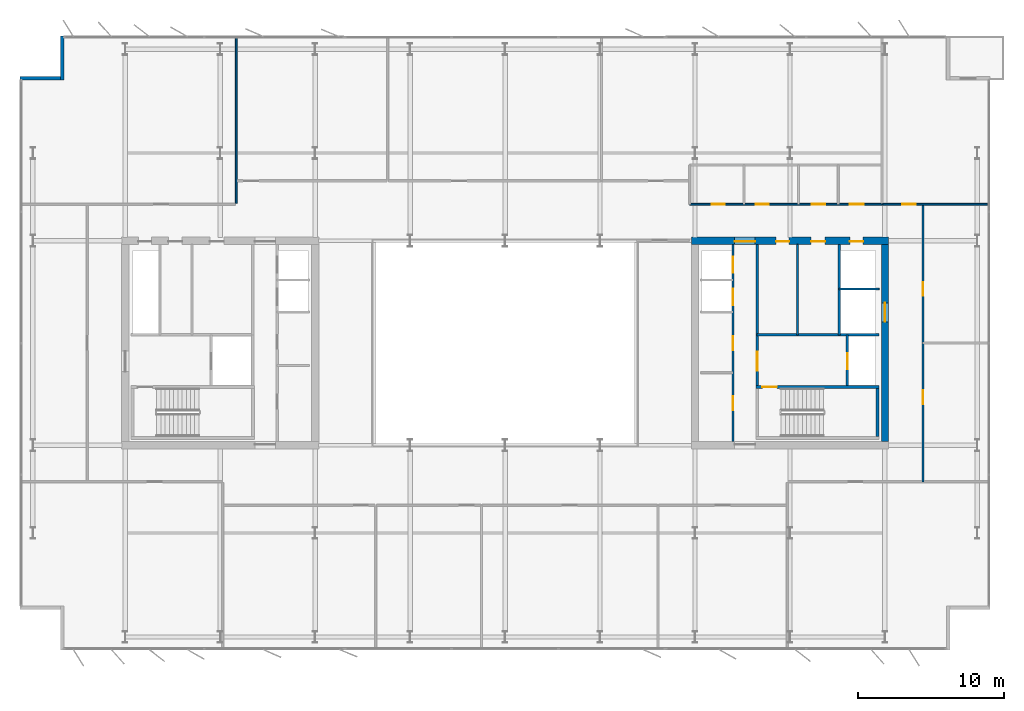
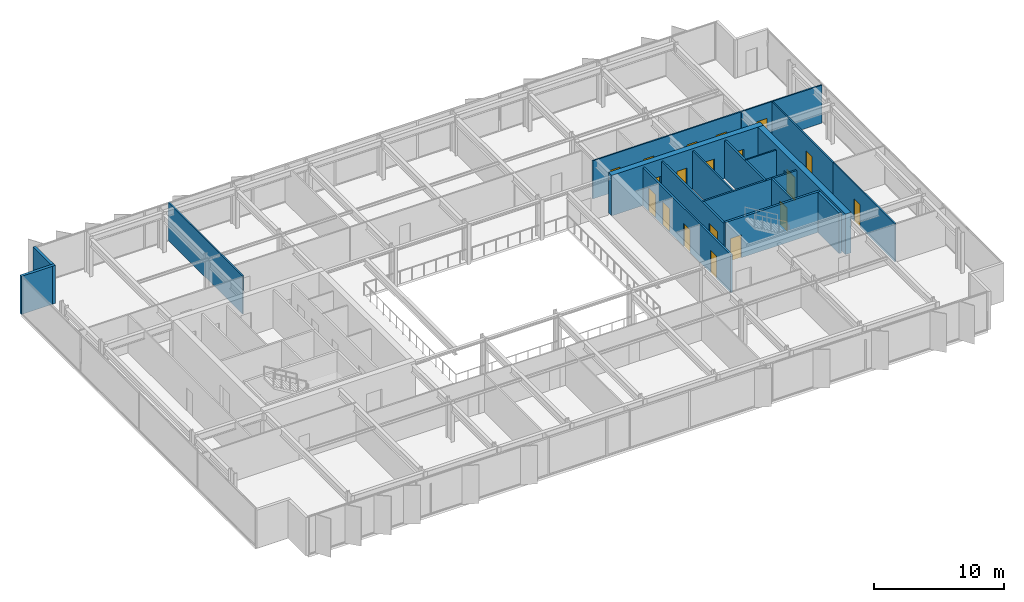
# One storey, part 18 of 23: 19 doors, 18 walls, 19 openings.
"""IFC4 building model written with IfcOpenShell, lengths in metres."""

from ifc_helpers import new_model, si_unit, direction, frame, frame_2d, origin, place, context, subcontext, project, spatial, rectangle, extrude, material, layer, layer_set, type_object, element, fill, save


model = new_model("IFC4")

# Units and contexts
model_context = context("Model", 3, precision=1e-05, world=origin(), true_north=direction((0.0, 1.0)))
body_context = subcontext(model_context, "Body", "Model", "MODEL_VIEW")
ifc_project = project(units=[si_unit("LENGTHUNIT", "METRE"), si_unit("AREAUNIT", "SQUARE_METRE"), si_unit("VOLUMEUNIT", "CUBIC_METRE"), si_unit("PLANEANGLEUNIT", "RADIAN"), si_unit("MASSUNIT", "GRAM", prefix="KILO")], contexts=[model_context])

# Site, building, storey
site_placement = place(None, origin())
site = spatial("IfcSite", under=ifc_project, at=site_placement, CompositionType="ELEMENT")
building_placement = place(site_placement, origin())
building = spatial("IfcBuilding", under=site, at=building_placement, Name="Putna Gate Headquarters", CompositionType="ELEMENT")
storey_placement = place(building_placement, frame((0.0, 0.0, 206.199951171875)))
storey = spatial("IfcBuildingStorey", under=building, at=storey_placement, Name="L51", CompositionType="ELEMENT", Elevation=206.199951171875)

# Wall, openings, doors
ifc_material_1 = material(Name="Concrete C50/60", Category="concrete")
ifc_layer_1 = layer(ifc_material_1, 0.5)
ifc_layer_set_1 = layer_set([ifc_layer_1], Name="Concrete C50/60")
wall_type_1 = type_object("IfcWallType", Name="WALL-CORE-500", PredefinedType="SHEAR", material=ifc_layer_set_1)
wall_1_placement = place(storey_placement, frame((51.75, 33.0, 0.0), z_axis=(0.0, 0.0, 1.0), x_axis=(1.0, 0.0, 0.0)))
wall_1 = element("IfcWall", 1, at=wall_1_placement, inside=storey, type_object=wall_type_1, Name="L51 EC Split Core Shear Wall N", PredefinedType="SHEAR", context=body_context, shape_type="SweptSolid", body=[
    extrude(rectangle(XDim=13.5, YDim=0.5, at=frame_2d((6.75, 0.0))), origin(), (0.0, 0.0, 1.0), 3.800048828125),
])
opening_1_placement = place(wall_1_placement, frame((2.969970703125, 0.0, 0.0)))
opening_1 = element("IfcOpeningElement", 2, at=opening_1_placement, cuts=wall_1, Name="Opening FDD-140", PredefinedType="OPENING", context=body_context, shape_type="SweptSolid", body=[
    extrude(rectangle(XDim=1.39990234375, YDim=2.199951171875, at=frame_2d((0.699951171875, 1.10009765625))), frame((0.0, 0.260009765625, 0.0), z_axis=(0.0, -1.0, 0.0), x_axis=(1.0, 0.0, 0.0)), (0.0, 0.0, 1.0), 0.52001953125),
])
opening_2_placement = place(wall_1_placement, frame((10.85009765625, 0.0, 0.0)))
opening_2 = element("IfcOpeningElement", 3, at=opening_2_placement, cuts=wall_1, Name="Opening RD-90", PredefinedType="OPENING", context=body_context, shape_type="SweptSolid", body=[
    extrude(rectangle(XDim=0.89990234375, YDim=2.14990234375, at=frame_2d((0.449951171875, 1.074951171875))), frame((0.0, 0.260009765625, 0.0), z_axis=(0.0, -1.0, 0.0), x_axis=(1.0, 0.0, 0.0)), (0.0, 0.0, 1.0), 0.52001953125),
])
opening_3_placement = place(wall_1_placement, frame((5.800048828125, 0.0, 0.0)))
opening_3 = element("IfcOpeningElement", 4, at=opening_3_placement, cuts=wall_1, Name="Opening IDS-90", PredefinedType="OPENING", context=body_context, shape_type="SweptSolid", body=[
    extrude(rectangle(XDim=0.89990234375, YDim=2.14990234375, at=frame_2d((0.449951171875, 1.074951171875))), frame((0.0, 0.260009765625, 0.0), z_axis=(0.0, -1.0, 0.0), x_axis=(1.0, 0.0, 0.0)), (0.0, 0.0, 1.0), 0.52001953125),
])
opening_4_placement = place(wall_1_placement, frame((8.199951171875, 0.0, 0.0)))
opening_4 = element("IfcOpeningElement", 5, at=opening_4_placement, cuts=wall_1, Name="Opening IDS-95", PredefinedType="OPENING", context=body_context, shape_type="SweptSolid", body=[
    extrude(rectangle(XDim=0.949951171875, YDim=2.14990234375, at=frame_2d((0.47509765625, 1.074951171875))), frame((0.0, 0.260009765625, 0.0), z_axis=(0.0, -1.0, 0.0), x_axis=(1.0, 0.0, 0.0)), (0.0, 0.0, 1.0), 0.52001953125),
])
ifc_material_2 = material(Name="Double steel fire door", Category="steel")
door_type_1 = type_object("IfcDoorType", Name="DOOR-FIRE-DBL-1400", OperationType="DOUBLE_DOOR_SINGLE_SWING", PredefinedType="DOOR", material=ifc_material_2)
door_1_placement = place(opening_1_placement, origin())
door_1 = element("IfcDoor", 6, at=door_1_placement, inside=storey, type_object=door_type_1, Name="L51 East Lift Lobby North Door", OperationType="DOUBLE_DOOR_SINGLE_SWING", OverallHeight=2.199951171875, OverallWidth=1.39990234375, PredefinedType="DOOR", context=body_context, shape_type="SweptSolid", body=[
    extrude(rectangle(XDim=1.39990234375, YDim=2.199951171875, at=frame_2d((0.699951171875, 1.10009765625))), frame((0.0, -0.02490234375, 0.0), z_axis=(0.0, -1.0, 0.0), x_axis=(1.0, 0.0, 0.0)), (0.0, 0.0, 1.0), 0.050048828125),
])
fill(opening_1, door_1)
ifc_material_3 = material(Name="Fire-rated utility door")
door_type_2 = type_object("IfcDoorType", Name="DOOR-INT-900", OperationType="NOTDEFINED", PredefinedType="DOOR", material=ifc_material_3)
door_2_placement = place(opening_3_placement, origin())
door_2 = element("IfcDoor", 7, at=door_2_placement, inside=storey, type_object=door_type_2, Name="L51 Telecoms Plant Door", OperationType="SINGLE_SWING_LEFT", OverallHeight=2.14990234375, OverallWidth=0.89990234375, PredefinedType="DOOR", context=body_context, shape_type="SweptSolid", body=[
    extrude(rectangle(XDim=0.89990234375, YDim=2.14990234375, at=frame_2d((0.449951171875, 1.074951171875))), frame((0.0, -0.02490234375, 0.0), z_axis=(0.0, -1.0, 0.0), x_axis=(1.0, 0.0, 0.0)), (0.0, 0.0, 1.0), 0.050048828125),
])
fill(opening_3, door_2)
ifc_material_4 = material(Name="Fire-rated service timber door", Category="wood")
door_type_3 = type_object("IfcDoorType", Name="DOOR-INT-950", OperationType="NOTDEFINED", PredefinedType="DOOR", material=ifc_material_4)
door_3_placement = place(opening_4_placement, origin())
door_3 = element("IfcDoor", 8, at=door_3_placement, inside=storey, type_object=door_type_3, Name="L51 Supplies Store Door", OperationType="SINGLE_SWING_RIGHT", OverallHeight=2.14990234375, OverallWidth=0.949951171875, PredefinedType="DOOR", context=body_context, shape_type="SweptSolid", body=[
    extrude(rectangle(XDim=0.949951171875, YDim=2.14990234375, at=frame_2d((0.47509765625, 1.074951171875))), frame((0.0, -0.02490234375, 0.0), z_axis=(0.0, -1.0, 0.0), x_axis=(1.0, 0.0, 0.0)), (0.0, 0.0, 1.0), 0.050048828125),
])
fill(opening_4, door_3)
ifc_material_5 = material(Name="Steel riser access fire door", Category="steel")
door_type_4 = type_object("IfcDoorType", Name="DOOR-RISER-900", OperationType="NOTDEFINED", PredefinedType="DOOR", material=ifc_material_5)
door_4_placement = place(opening_2_placement, origin())
door_4 = element("IfcDoor", 9, at=door_4_placement, inside=storey, type_object=door_type_4, Name="L51 East Riser Access Door", OperationType="SINGLE_SWING_LEFT", OverallHeight=2.14990234375, OverallWidth=0.89990234375, PredefinedType="DOOR", context=body_context, shape_type="SweptSolid", body=[
    extrude(rectangle(XDim=0.89990234375, YDim=2.14990234375, at=frame_2d((0.449951171875, 1.074951171875))), frame((0.0, -0.02490234375, 0.0), z_axis=(0.0, -1.0, 0.0), x_axis=(1.0, 0.0, 0.0)), (0.0, 0.0, 1.0), 0.050048828125),
])
fill(opening_2, door_4)

# Wall, opening, door
wall_2_placement = place(storey_placement, frame((65.0, 19.25, 0.0), z_axis=(0.0, 0.0, 1.0), x_axis=(0.0, 1.0, 0.0)))
wall_2 = element("IfcWall", 10, at=wall_2_placement, inside=storey, type_object=wall_type_1, Name="L51 EC Split Core Shear Wall E", PredefinedType="SHEAR", context=body_context, shape_type="SweptSolid", body=[
    extrude(rectangle(XDim=13.5, YDim=0.5, at=frame_2d((6.75, 0.0))), origin(), (0.0, 0.0, 1.0), 3.800048828125),
])
opening_5_placement = place(wall_2_placement, frame((8.199951171875, 0.0, 0.0)))
opening_5 = element("IfcOpeningElement", 11, at=opening_5_placement, cuts=wall_2, Name="Opening LD-2", PredefinedType="OPENING", context=body_context, shape_type="SweptSolid", body=[
    extrude(rectangle(XDim=1.300048828125, YDim=2.199951171875, at=frame_2d((0.64990234375, 1.10009765625))), frame((0.0, 0.260009765625, 0.0), z_axis=(0.0, -1.0, 0.0), x_axis=(1.0, 0.0, 0.0)), (0.0, 0.0, 1.0), 0.52001953125),
])
ifc_material_6 = material(Name="Heavy-duty goods lift sliding landing door")
door_type_5 = type_object("IfcDoorType", Name="DOOR-LIFT-1300", OperationType="DOUBLE_DOOR_SLIDING", PredefinedType="DOOR", material=ifc_material_6)
door_5_placement = place(opening_5_placement, origin())
door_5 = element("IfcDoor", 12, at=door_5_placement, inside=storey, type_object=door_type_5, Name="L51 Goods Lift Landing Door LD-15", OperationType="DOUBLE_DOOR_SLIDING", OverallHeight=2.199951171875, OverallWidth=1.300048828125, PredefinedType="DOOR", context=body_context, shape_type="SweptSolid", body=[
    extrude(rectangle(XDim=1.300048828125, YDim=2.199951171875, at=frame_2d((0.64990234375, 1.10009765625))), frame((0.0, 0.02490234375, 0.0), z_axis=(0.0, -1.0, 0.0), x_axis=(1.0, 0.0, 0.0)), (0.0, 0.0, 1.0), 0.050048828125),
])
fill(opening_5, door_5)

# Walls
ifc_material_7 = material(Name="Precast concrete C40/50", Category="concrete")
ifc_layer_2 = layer(ifc_material_7, 0.239990234375)
ifc_layer_set_2 = layer_set([ifc_layer_2], Name="Precast concrete C40/50")
wall_type_2 = type_object("IfcWallType", Name="WALL-EXT-TERR-240", PredefinedType="STANDARD", material=ifc_layer_set_2)
for number, where, z_axis, x_axis, name in (
    (13, (8.679931640625, 44.0, 0.0), (0.0, 0.0, 1.0), (0.0, 1.0, 0.0), "L51 Corner Notch Return Wall NW-V"),
    (14, (5.800048828125, 44.1201171875, 0.0), (0.0, 0.0, 1.0), (1.0, 0.0, 0.0), "L51 Corner Notch Return Wall NW-H"),
):
    element("IfcWall", number, at=place(storey_placement, frame(where, z_axis=z_axis, x_axis=x_axis)), inside=storey, type_object=wall_type_2, Name=name, PredefinedType="STANDARD", context=body_context, shape_type="SweptSolid", body=[
        extrude(rectangle(XDim=3.0, YDim=0.239990234375, at=frame_2d((1.5, 0.0))), origin(), (0.0, 0.0, 1.0), 3.580078125),
    ])
ifc_material_8 = material(Name="Acoustic gypsum board on metal stud")
ifc_layer_3 = layer(ifc_material_8, 0.1201171875)
ifc_layer_set_3 = layer_set([ifc_layer_3], Name="Acoustic gypsum board on metal stud")
wall_type_3 = type_object("IfcWallType", Name="WALL-PART-120", PredefinedType="PARTITIONING", material=ifc_layer_set_3)
wall_3_placement = place(storey_placement, frame((20.60888671875, 35.56005859375, 0.0), z_axis=(0.0, 0.0, 1.0), x_axis=(0.0, 1.0, 0.0)))
element("IfcWall", 15, at=wall_3_placement, inside=storey, type_object=wall_type_3, Name="L51 Interior Wall PART-L51-NB-DIV-01", PredefinedType="PARTITIONING", context=body_context, shape_type="SweptSolid", body=[
    extrude(rectangle(XDim=11.419921875, YDim=0.1201171875, at=frame_2d((5.7099609375, 0.0))), origin(), (0.0, 0.0, 1.0), 3.580078125),
])
ifc_material_9 = material(Name="Fire-rated shaftwall gypsum board on metal stud")
ifc_layer_4 = layer(ifc_material_9, 0.1201171875)
ifc_layer_set_4 = layer_set([ifc_layer_4], Name="Fire-rated shaftwall gypsum board on metal stud")
wall_type_4 = type_object("IfcWallType", Name="WALL-PART-120-EI120", PredefinedType="PARTITIONING", material=ifc_layer_set_4)
wall_4_placement = place(storey_placement, frame((61.8701171875, 29.699951171875, 0.0), z_axis=(0.0, 0.0, 1.0), x_axis=(1.0, 0.0, 0.0)))
element("IfcWall", 16, at=wall_4_placement, inside=storey, type_object=wall_type_4, Name="L51 Interior Wall CWINT-L51-EC-LF15-N", PredefinedType="PARTITIONING", context=body_context, shape_type="SweptSolid", body=[
    extrude(rectangle(XDim=2.72998046875, YDim=0.1201171875, at=frame_2d((1.364990234375, 0.0))), origin(), (0.0, 0.0, 1.0), 3.580078125),
])
ifc_material_10 = material(Name="Fire-rated gypsum board on metal stud")
ifc_layer_5 = layer(ifc_material_10, 0.1201171875)
ifc_layer_set_5 = layer_set([ifc_layer_5], Name="Fire-rated gypsum board on metal stud")
wall_type_5 = type_object("IfcWallType", Name="WALL-PART-120-RATED", PredefinedType="PARTITIONING", material=ifc_layer_set_5)
wall_5_placement = place(storey_placement, frame((59.02001953125, 26.56005859375, 0.0), z_axis=(0.0, 0.0, 1.0), x_axis=(0.0, 1.0, 0.0)))
element("IfcWall", 17, at=wall_5_placement, inside=storey, type_object=wall_type_5, Name="L51 Interior Wall CWINT-L51-EC-K1-DIV", PredefinedType="PARTITIONING", context=body_context, shape_type="SweptSolid", body=[
    extrude(rectangle(XDim=6.18994140625, YDim=0.1201171875, at=frame_2d((3.094970703125, 0.0))), origin(), (0.0, 0.0, 1.0), 3.580078125),
])

# Wall, openings, doors
wall_6_placement = place(storey_placement, frame((51.639892578125, 35.5, 0.0), z_axis=(0.0, 0.0, 1.0), x_axis=(1.0, 0.0, 0.0)))
wall_6 = element("IfcWall", 18, at=wall_6_placement, inside=storey, type_object=wall_type_5, Name="L51 Interior Wall PART-L51-SAN-CW", PredefinedType="PARTITIONING", context=body_context, shape_type="SweptSolid", body=[
    extrude(rectangle(XDim=13.16015625, YDim=0.1201171875, at=frame_2d((6.580078125, 0.0))), origin(), (0.0, 0.0, 1.0), 3.580078125),
])
opening_6_placement = place(wall_6_placement, frame((1.510009765625, 0.0, 0.0)))
opening_6 = element("IfcOpeningElement", 19, at=opening_6_placement, cuts=wall_6, Name="Opening FD-90", PredefinedType="OPENING", context=body_context, shape_type="SweptSolid", body=[
    extrude(rectangle(XDim=0.89990234375, YDim=2.14990234375, at=frame_2d((0.449951171875, 1.074951171875))), frame((0.0, 0.070068359375, 0.0), z_axis=(0.0, -1.0, 0.0), x_axis=(1.0, 0.0, 0.0)), (0.0, 0.0, 1.0), 0.14013671875),
])
opening_7_placement = place(wall_6_placement, frame((4.510009765625, 0.0, 0.0)))
opening_7 = element("IfcOpeningElement", 20, at=opening_7_placement, cuts=wall_6, Name="Opening FD-90", PredefinedType="OPENING", context=body_context, shape_type="SweptSolid", body=[
    extrude(rectangle(XDim=0.89990234375, YDim=2.14990234375, at=frame_2d((0.449951171875, 1.074951171875))), frame((0.0, 0.070068359375, 0.0), z_axis=(0.0, -1.0, 0.0), x_axis=(1.0, 0.0, 0.0)), (0.0, 0.0, 1.0), 0.14013671875),
])
opening_8_placement = place(wall_6_placement, frame((8.360107421875, 0.0, 0.0)))
opening_8 = element("IfcOpeningElement", 21, at=opening_8_placement, cuts=wall_6, Name="Opening FD-90", PredefinedType="OPENING", context=body_context, shape_type="SweptSolid", body=[
    extrude(rectangle(XDim=0.89990234375, YDim=2.14990234375, at=frame_2d((0.449951171875, 1.074951171875))), frame((0.0, 0.070068359375, 0.0), z_axis=(0.0, -1.0, 0.0), x_axis=(1.0, 0.0, 0.0)), (0.0, 0.0, 1.0), 0.14013671875),
])
opening_9_placement = place(wall_6_placement, frame((10.9599609375, 0.0, 0.0)))
opening_9 = element("IfcOpeningElement", 22, at=opening_9_placement, cuts=wall_6, Name="Opening FD-95", PredefinedType="OPENING", context=body_context, shape_type="SweptSolid", body=[
    extrude(rectangle(XDim=0.949951171875, YDim=2.14990234375, at=frame_2d((0.47509765625, 1.074951171875))), frame((0.0, 0.070068359375, 0.0), z_axis=(0.0, -1.0, 0.0), x_axis=(1.0, 0.0, 0.0)), (0.0, 0.0, 1.0), 0.14013671875),
])
ifc_material_11 = material(Name="Acoustic washroom fire door")
door_type_6 = type_object("IfcDoorType", Name="DOOR-FIRE-900", OperationType="NOTDEFINED", PredefinedType="DOOR", material=ifc_material_11)
door_6_placement = place(opening_6_placement, origin())
door_6 = element("IfcDoor", 23, at=door_6_placement, inside=storey, type_object=door_type_6, Name="L51 Washroom Male Door", OperationType="SINGLE_SWING_RIGHT", OverallHeight=2.14990234375, OverallWidth=0.89990234375, PredefinedType="DOOR", context=body_context, shape_type="SweptSolid", body=[
    extrude(rectangle(XDim=0.89990234375, YDim=2.14990234375, at=frame_2d((0.449951171875, 1.074951171875))), frame((0.0, 0.02490234375, 0.0), z_axis=(0.0, -1.0, 0.0), x_axis=(1.0, 0.0, 0.0)), (0.0, 0.0, 1.0), 0.050048828125),
])
fill(opening_6, door_6)
door_7_placement = place(opening_7_placement, origin())
door_7 = element("IfcDoor", 24, at=door_7_placement, inside=storey, type_object=door_type_6, Name="L51 Washroom Female Door", OperationType="SINGLE_SWING_LEFT", OverallHeight=2.14990234375, OverallWidth=0.89990234375, PredefinedType="DOOR", context=body_context, shape_type="SweptSolid", body=[
    extrude(rectangle(XDim=0.89990234375, YDim=2.14990234375, at=frame_2d((0.449951171875, 1.074951171875))), frame((0.0, 0.02490234375, 0.0), z_axis=(0.0, -1.0, 0.0), x_axis=(1.0, 0.0, 0.0)), (0.0, 0.0, 1.0), 0.050048828125),
])
fill(opening_7, door_7)
door_8_placement = place(opening_8_placement, origin())
door_8 = element("IfcDoor", 25, at=door_8_placement, inside=storey, type_object=door_type_6, Name="L51 Accessible WC Door", OperationType="SINGLE_SWING_RIGHT", OverallHeight=2.14990234375, OverallWidth=0.89990234375, PredefinedType="DOOR", context=body_context, shape_type="SweptSolid", body=[
    extrude(rectangle(XDim=0.89990234375, YDim=2.14990234375, at=frame_2d((0.449951171875, 1.074951171875))), frame((0.0, 0.02490234375, 0.0), z_axis=(0.0, -1.0, 0.0), x_axis=(1.0, 0.0, 0.0)), (0.0, 0.0, 1.0), 0.050048828125),
])
fill(opening_8, door_8)
ifc_material_12 = material(Name="Acoustic timber fire door", Category="wood")
door_type_7 = type_object("IfcDoorType", Name="DOOR-FIRE-950", OperationType="NOTDEFINED", PredefinedType="DOOR", material=ifc_material_12)
door_9_placement = place(opening_9_placement, origin())
door_9 = element("IfcDoor", 26, at=door_9_placement, inside=storey, type_object=door_type_7, Name="L51 Staff Pantry and Tea Point Door", OperationType="SINGLE_SWING_LEFT", OverallHeight=2.14990234375, OverallWidth=0.949951171875, PredefinedType="DOOR", context=body_context, shape_type="SweptSolid", body=[
    extrude(rectangle(XDim=0.949951171875, YDim=2.14990234375, at=frame_2d((0.47509765625, 1.074951171875))), frame((0.0, 0.02490234375, 0.0), z_axis=(0.0, -1.0, 0.0), x_axis=(1.0, 0.0, 0.0)), (0.0, 0.0, 1.0), 0.050048828125),
])
fill(opening_9, door_9)

# Wall, opening, door
wall_7_placement = place(storey_placement, frame((64.860107421875, 35.5, 0.0), z_axis=(0.0, 0.0, 1.0), x_axis=(1.0, 0.0, 0.0)))
wall_7 = element("IfcWall", 27, at=wall_7_placement, inside=storey, type_object=wall_type_5, Name="L51 Interior Wall PART-L51-NB-CW-05", PredefinedType="PARTITIONING", context=body_context, shape_type="SweptSolid", body=[
    extrude(rectangle(XDim=7.159912109375, YDim=0.1201171875, at=frame_2d((3.580078125, 0.0))), origin(), (0.0, 0.0, 1.0), 3.580078125),
])
opening_10_placement = place(wall_7_placement, frame((1.31005859375, 0.0, 0.0)))
opening_10 = element("IfcOpeningElement", 28, at=opening_10_placement, cuts=wall_7, Name="Opening FD-95", PredefinedType="OPENING", context=body_context, shape_type="SweptSolid", body=[
    extrude(rectangle(XDim=0.949951171875, YDim=2.14990234375, at=frame_2d((0.47509765625, 1.074951171875))), frame((0.0, 0.070068359375, 0.0), z_axis=(0.0, -1.0, 0.0), x_axis=(1.0, 0.0, 0.0)), (0.0, 0.0, 1.0), 0.14013671875),
])
door_10_placement = place(opening_10_placement, origin())
door_10 = element("IfcDoor", 29, at=door_10_placement, inside=storey, type_object=door_type_7, Name="L51 Conference Meeting Room 2 Door", OperationType="SINGLE_SWING_RIGHT", OverallHeight=2.14990234375, OverallWidth=0.949951171875, PredefinedType="DOOR", context=body_context, shape_type="SweptSolid", body=[
    extrude(rectangle(XDim=0.949951171875, YDim=2.14990234375, at=frame_2d((0.47509765625, 1.074951171875))), frame((0.0, 0.02490234375, 0.0), z_axis=(0.0, -1.0, 0.0), x_axis=(1.0, 0.0, 0.0)), (0.0, 0.0, 1.0), 0.050048828125),
])
fill(opening_10, door_10)

wall_8_placement = place(storey_placement, frame((67.60009765625, 16.5, 0.0), z_axis=(0.0, 0.0, 1.0), x_axis=(0.0, 1.0, 0.0)))
wall_8 = element("IfcWall", 30, at=wall_8_placement, inside=storey, type_object=wall_type_5, Name="L51 Interior Wall PART-L51-EW-CW-1", PredefinedType="PARTITIONING", context=body_context, shape_type="SweptSolid", body=[
    extrude(rectangle(XDim=9.5, YDim=0.1201171875, at=frame_2d((4.75, 0.0))), origin(), (0.0, 0.0, 1.0), 3.580078125),
])
opening_11_placement = place(wall_8_placement, frame((5.324951171875, 0.0, 0.0)))
opening_11 = element("IfcOpeningElement", 31, at=opening_11_placement, cuts=wall_8, Name="Opening FD-95", PredefinedType="OPENING", context=body_context, shape_type="SweptSolid", body=[
    extrude(rectangle(XDim=0.949951171875, YDim=2.14990234375, at=frame_2d((0.47509765625, 1.074951171875))), frame((0.0, 0.070068359375, 0.0), z_axis=(0.0, -1.0, 0.0), x_axis=(1.0, 0.0, 0.0)), (0.0, 0.0, 1.0), 0.14013671875),
])
door_11_placement = place(opening_11_placement, origin())
door_11 = element("IfcDoor", 32, at=door_11_placement, inside=storey, type_object=door_type_7, Name="L51 East Advisory Office 1 Door", OperationType="SINGLE_SWING_RIGHT", OverallHeight=2.14990234375, OverallWidth=0.949951171875, PredefinedType="DOOR", context=body_context, shape_type="SweptSolid", body=[
    extrude(rectangle(XDim=0.949951171875, YDim=2.14990234375, at=frame_2d((0.47509765625, 1.074951171875))), frame((0.0, 0.02490234375, 0.0), z_axis=(0.0, -1.0, 0.0), x_axis=(1.0, 0.0, 0.0)), (0.0, 0.0, 1.0), 0.050048828125),
])
fill(opening_11, door_11)

wall_9_placement = place(storey_placement, frame((67.60009765625, 26.0, 0.0), z_axis=(0.0, 0.0, 1.0), x_axis=(0.0, 1.0, 0.0)))
wall_9 = element("IfcWall", 33, at=wall_9_placement, inside=storey, type_object=wall_type_5, Name="L51 Interior Wall PART-L51-EW-CW-2", PredefinedType="PARTITIONING", context=body_context, shape_type="SweptSolid", body=[
    extrude(rectangle(XDim=9.5, YDim=0.1201171875, at=frame_2d((4.75, 0.0))), origin(), (0.0, 0.0, 1.0), 3.580078125),
])
opening_12_placement = place(wall_9_placement, frame((3.22509765625, 0.0, 0.0)))
opening_12 = element("IfcOpeningElement", 34, at=opening_12_placement, cuts=wall_9, Name="Opening FD-95", PredefinedType="OPENING", context=body_context, shape_type="SweptSolid", body=[
    extrude(rectangle(XDim=0.949951171875, YDim=2.14990234375, at=frame_2d((0.47509765625, 1.074951171875))), frame((0.0, 0.070068359375, 0.0), z_axis=(0.0, -1.0, 0.0), x_axis=(1.0, 0.0, 0.0)), (0.0, 0.0, 1.0), 0.14013671875),
])
door_12_placement = place(opening_12_placement, origin())
door_12 = element("IfcDoor", 35, at=door_12_placement, inside=storey, type_object=door_type_7, Name="L51 East Advisory Office 2 Door", OperationType="SINGLE_SWING_LEFT", OverallHeight=2.14990234375, OverallWidth=0.949951171875, PredefinedType="DOOR", context=body_context, shape_type="SweptSolid", body=[
    extrude(rectangle(XDim=0.949951171875, YDim=2.14990234375, at=frame_2d((0.47509765625, 1.074951171875))), frame((0.0, 0.02490234375, 0.0), z_axis=(0.0, -1.0, 0.0), x_axis=(1.0, 0.0, 0.0)), (0.0, 0.0, 1.0), 0.050048828125),
])
fill(opening_12, door_12)

# Wall, openings, doors
ifc_material_13 = material(Name="Concrete C40/50", Category="concrete")
ifc_layer_6 = layer(ifc_material_13, 0.159912109375)
ifc_layer_set_6 = layer_set([ifc_layer_6], Name="Concrete C40/50")
wall_type_6 = type_object("IfcWallType", Name="WALL-SHAFT-160", PredefinedType="STANDARD", material=ifc_layer_set_6)
wall_10_placement = place(storey_placement, frame((54.60009765625, 19.25, 0.0), z_axis=(0.0, 0.0, 1.0), x_axis=(0.0, 1.0, 0.0)))
wall_10 = element("IfcWall", 36, at=wall_10_placement, inside=storey, type_object=wall_type_6, Name="L51 Interior Wall CWINT-L51-EC-PL-WALL", PredefinedType="STANDARD", context=body_context, shape_type="SweptSolid", body=[
    extrude(rectangle(XDim=13.5, YDim=0.159912109375, at=frame_2d((6.75, 0.0))), origin(), (0.0, 0.0, 1.0), 3.580078125),
])
opening_13_placement = place(wall_10_placement, frame((2.14990234375, 0.0, 0.0)))
opening_13 = element("IfcOpeningElement", 37, at=opening_13_placement, cuts=wall_10, Name="Opening IDS-95", PredefinedType="OPENING", context=body_context, shape_type="SweptSolid", body=[
    extrude(rectangle(XDim=0.949951171875, YDim=2.14990234375, at=frame_2d((0.47509765625, 1.074951171875))), frame((0.0, 0.08984375, 0.0), z_axis=(0.0, -1.0, 0.0), x_axis=(1.0, 0.0, 0.0)), (0.0, 0.0, 1.0), 0.179931640625),
])
opening_14_placement = place(wall_10_placement, frame((6.25, 0.0, 0.0)))
opening_14 = element("IfcOpeningElement", 38, at=opening_14_placement, cuts=wall_10, Name="Opening IDS-95", PredefinedType="OPENING", context=body_context, shape_type="SweptSolid", body=[
    extrude(rectangle(XDim=0.949951171875, YDim=2.14990234375, at=frame_2d((0.47509765625, 1.074951171875))), frame((0.0, 0.08984375, 0.0), z_axis=(0.0, -1.0, 0.0), x_axis=(1.0, 0.0, 0.0)), (0.0, 0.0, 1.0), 0.179931640625),
])
opening_15_placement = place(wall_10_placement, frame((9.35009765625, 0.0, 0.0)))
opening_15 = element("IfcOpeningElement", 39, at=opening_15_placement, cuts=wall_10, Name="Opening LD-1", PredefinedType="OPENING", context=body_context, shape_type="SweptSolid", body=[
    extrude(rectangle(XDim=1.10009765625, YDim=2.199951171875, at=frame_2d((0.550048828125, 1.10009765625))), frame((0.0, 0.08984375, 0.0), z_axis=(0.0, -1.0, 0.0), x_axis=(1.0, 0.0, 0.0)), (0.0, 0.0, 1.0), 0.179931640625),
])
opening_16_placement = place(wall_10_placement, frame((11.550048828125, 0.0, 0.0)))
opening_16 = element("IfcOpeningElement", 40, at=opening_16_placement, cuts=wall_10, Name="Opening LD-1", PredefinedType="OPENING", context=body_context, shape_type="SweptSolid", body=[
    extrude(rectangle(XDim=1.10009765625, YDim=2.199951171875, at=frame_2d((0.550048828125, 1.10009765625))), frame((0.0, 0.08984375, 0.0), z_axis=(0.0, -1.0, 0.0), x_axis=(1.0, 0.0, 0.0)), (0.0, 0.0, 1.0), 0.179931640625),
])
door_13_placement = place(opening_13_placement, origin())
door_13 = element("IfcDoor", 41, at=door_13_placement, inside=storey, type_object=door_type_3, Name="L51 Executive Archive Door", OperationType="SINGLE_SWING_RIGHT", OverallHeight=2.14990234375, OverallWidth=0.949951171875, PredefinedType="DOOR", context=body_context, shape_type="SweptSolid", body=[
    extrude(rectangle(XDim=0.949951171875, YDim=2.14990234375, at=frame_2d((0.47509765625, 1.074951171875))), frame((0.0, 0.02490234375, 0.0), z_axis=(0.0, -1.0, 0.0), x_axis=(1.0, 0.0, 0.0)), (0.0, 0.0, 1.0), 0.050048828125),
])
fill(opening_13, door_13)
door_14_placement = place(opening_14_placement, origin())
door_14 = element("IfcDoor", 42, at=door_14_placement, inside=storey, type_object=door_type_3, Name="L51 Comms Distribution Door", OperationType="SINGLE_SWING_LEFT", OverallHeight=2.14990234375, OverallWidth=0.949951171875, PredefinedType="DOOR", context=body_context, shape_type="SweptSolid", body=[
    extrude(rectangle(XDim=0.949951171875, YDim=2.14990234375, at=frame_2d((0.47509765625, 1.074951171875))), frame((0.0, 0.02490234375, 0.0), z_axis=(0.0, -1.0, 0.0), x_axis=(1.0, 0.0, 0.0)), (0.0, 0.0, 1.0), 0.050048828125),
])
fill(opening_14, door_14)
ifc_material_14 = material(Name="Brushed bronze stainless lift landing door")
door_type_8 = type_object("IfcDoorType", Name="DOOR-LIFT-1100", OperationType="DOUBLE_DOOR_SLIDING", PredefinedType="DOOR", material=ifc_material_14)
door_15_placement = place(opening_15_placement, origin())
door_15 = element("IfcDoor", 43, at=door_15_placement, inside=storey, type_object=door_type_8, Name="L51 Lift Landing Door LD-11", OperationType="DOUBLE_DOOR_SLIDING", OverallHeight=2.199951171875, OverallWidth=1.10009765625, PredefinedType="DOOR", context=body_context, shape_type="SweptSolid", body=[
    extrude(rectangle(XDim=1.10009765625, YDim=2.199951171875, at=frame_2d((0.550048828125, 1.10009765625))), frame((0.0, 0.02490234375, 0.0), z_axis=(0.0, -1.0, 0.0), x_axis=(1.0, 0.0, 0.0)), (0.0, 0.0, 1.0), 0.050048828125),
])
fill(opening_15, door_15)
door_16_placement = place(opening_16_placement, origin())
door_16 = element("IfcDoor", 44, at=door_16_placement, inside=storey, type_object=door_type_8, Name="L51 Lift Landing Door LD-12", OperationType="DOUBLE_DOOR_SLIDING", OverallHeight=2.199951171875, OverallWidth=1.10009765625, PredefinedType="DOOR", context=body_context, shape_type="SweptSolid", body=[
    extrude(rectangle(XDim=1.10009765625, YDim=2.199951171875, at=frame_2d((0.550048828125, 1.10009765625))), frame((0.0, 0.02490234375, 0.0), z_axis=(0.0, -1.0, 0.0), x_axis=(1.0, 0.0, 0.0)), (0.0, 0.0, 1.0), 0.050048828125),
])
fill(opening_16, door_16)

# Wall, opening, door
wall_11_placement = place(storey_placement, frame((56.260009765625, 23.090087890625, 0.0), z_axis=(0.0, 0.0, 1.0), x_axis=(0.0, 1.0, 0.0)))
wall_11 = element("IfcWall", 45, at=wall_11_placement, inside=storey, type_object=wall_type_6, Name="L51 Interior Wall CWINT-L51-EC-LOB-E", PredefinedType="STANDARD", context=body_context, shape_type="SweptSolid", body=[
    extrude(rectangle(XDim=9.659912109375, YDim=0.159912109375, at=frame_2d((4.830078125, 0.0))), origin(), (0.0, 0.0, 1.0), 3.580078125),
])
opening_17_placement = place(wall_11_placement, frame((1.010009765625, 0.0, 0.0)))
opening_17 = element("IfcOpeningElement", 46, at=opening_17_placement, cuts=wall_11, Name="Opening FDD-130", PredefinedType="OPENING", context=body_context, shape_type="SweptSolid", body=[
    extrude(rectangle(XDim=1.300048828125, YDim=2.199951171875, at=frame_2d((0.64990234375, 1.10009765625))), frame((0.0, 0.08984375, 0.0), z_axis=(0.0, -1.0, 0.0), x_axis=(1.0, 0.0, 0.0)), (0.0, 0.0, 1.0), 0.179931640625),
])
ifc_material_15 = material(Name="Double steel lobby fire door", Category="steel")
door_type_9 = type_object("IfcDoorType", Name="DOOR-FIRE-DBL-1300", OperationType="DOUBLE_DOOR_SINGLE_SWING", PredefinedType="DOOR", material=ifc_material_15)
door_17_placement = place(opening_17_placement, origin())
door_17 = element("IfcDoor", 47, at=door_17_placement, inside=storey, type_object=door_type_9, Name="L51 East Firefighting Lobby Door", OperationType="DOUBLE_DOOR_SINGLE_SWING", OverallHeight=2.199951171875, OverallWidth=1.300048828125, PredefinedType="DOOR", context=body_context, shape_type="SweptSolid", body=[
    extrude(rectangle(XDim=1.300048828125, YDim=2.199951171875, at=frame_2d((0.64990234375, 1.10009765625))), frame((0.0, 0.02490234375, 0.0), z_axis=(0.0, -1.0, 0.0), x_axis=(1.0, 0.0, 0.0)), (0.0, 0.0, 1.0), 0.050048828125),
])
fill(opening_17, door_17)

wall_12_placement = place(storey_placement, frame((62.429931640625, 23.090087890625, 0.0), z_axis=(0.0, 0.0, 1.0), x_axis=(0.0, 1.0, 0.0)))
wall_12 = element("IfcWall", 48, at=wall_12_placement, inside=storey, type_object=wall_type_6, Name="L51 Interior Wall CWINT-L51-EC-LF14-W", PredefinedType="STANDARD", context=body_context, shape_type="SweptSolid", body=[
    extrude(rectangle(XDim=3.469970703125, YDim=0.159912109375, at=frame_2d((1.73486328125, 0.0))), origin(), (0.0, 0.0, 1.0), 3.580078125),
])
opening_18_placement = place(wall_12_placement, frame((1.10009765625, 0.0, 0.0)))
opening_18 = element("IfcOpeningElement", 49, at=opening_18_placement, cuts=wall_12, Name="Opening LD-1", PredefinedType="OPENING", context=body_context, shape_type="SweptSolid", body=[
    extrude(rectangle(XDim=1.10009765625, YDim=2.199951171875, at=frame_2d((0.550048828125, 1.10009765625))), frame((0.0, 0.08984375, 0.0), z_axis=(0.0, -1.0, 0.0), x_axis=(1.0, 0.0, 0.0)), (0.0, 0.0, 1.0), 0.179931640625),
])
door_18_placement = place(opening_18_placement, origin())
door_18 = element("IfcDoor", 50, at=door_18_placement, inside=storey, type_object=door_type_8, Name="L51 Lift Landing Door LD-14", OperationType="DOUBLE_DOOR_SLIDING", OverallHeight=2.199951171875, OverallWidth=1.10009765625, PredefinedType="DOOR", context=body_context, shape_type="SweptSolid", body=[
    extrude(rectangle(XDim=1.10009765625, YDim=2.199951171875, at=frame_2d((0.550048828125, 1.10009765625))), frame((0.0, 0.02490234375, 0.0), z_axis=(0.0, -1.0, 0.0), x_axis=(1.0, 0.0, 0.0)), (0.0, 0.0, 1.0), 0.050048828125),
])
fill(opening_18, door_18)

# Walls
wall_13_placement = place(storey_placement, frame((56.260009765625, 26.56005859375, 0.0), z_axis=(0.0, 0.0, 1.0), x_axis=(1.0, 0.0, 0.0)))
element("IfcWall", 51, at=wall_13_placement, inside=storey, type_object=wall_type_6, Name="L51 Interior Wall CWINT-L51-EC-FFL-N", PredefinedType="STANDARD", context=body_context, shape_type="SweptSolid", body=[
    extrude(rectangle(XDim=8.340087890625, YDim=0.159912109375, at=frame_2d((4.169921875, 0.0))), origin(), (0.0, 0.0, 1.0), 3.580078125),
])
wall_14_placement = place(storey_placement, frame((61.8701171875, 26.56005859375, 0.0), z_axis=(0.0, 0.0, 1.0), x_axis=(0.0, 1.0, 0.0)))
element("IfcWall", 52, at=wall_14_placement, inside=storey, type_object=wall_type_6, Name="L51 Interior Wall CWINT-L51-EC-LF15-W", PredefinedType="STANDARD", context=body_context, shape_type="SweptSolid", body=[
    extrude(rectangle(XDim=6.18994140625, YDim=0.159912109375, at=frame_2d((3.094970703125, 0.0))), origin(), (0.0, 0.0, 1.0), 3.580078125),
])

# Wall, opening, door
ifc_layer_7 = layer(ifc_material_13, 0.199951171875)
ifc_layer_set_7 = layer_set([ifc_layer_7], Name="Concrete C40/50")
wall_type_7 = type_object("IfcWallType", Name="WALL-SHAFT-RC200", PredefinedType="SHEAR", material=ifc_layer_set_7)
wall_15_placement = place(storey_placement, frame((56.159912109375, 22.989990234375, 0.0), z_axis=(0.0, 0.0, 1.0), x_axis=(1.0, 0.0, 0.0)))
wall_15 = element("IfcWall", 53, at=wall_15_placement, inside=storey, type_object=wall_type_7, Name="L51 Stair ST2 Structural Shaft Wall N", PredefinedType="SHEAR", context=body_context, shape_type="SweptSolid", body=[
    extrude(rectangle(XDim=8.43017578125, YDim=0.199951171875, at=frame_2d((4.215087890625, 0.0))), origin(), (0.0, 0.0, 1.0), 3.800048828125),
])
opening_19_placement = place(wall_15_placement, frame((0.449951171875, 0.0, 0.0)))
opening_19 = element("IfcOpeningElement", 54, at=opening_19_placement, cuts=wall_15, Name="Opening FD-100", PredefinedType="OPENING", context=body_context, shape_type="SweptSolid", body=[
    extrude(rectangle(XDim=1.0, YDim=2.14990234375, at=frame_2d((0.5, 1.074951171875))), frame((0.0, 0.10986328125, 0.0), z_axis=(0.0, -1.0, 0.0), x_axis=(1.0, 0.0, 0.0)), (0.0, 0.0, 1.0), 0.219970703125),
])
ifc_material_16 = material(Name="Powder-coated steel fire door", Category="steel")
door_type_10 = type_object("IfcDoorType", Name="DOOR-FIRE-1000", OperationType="NOTDEFINED", PredefinedType="DOOR", material=ifc_material_16)
door_19_placement = place(opening_19_placement, origin())
door_19 = element("IfcDoor", 55, at=door_19_placement, inside=storey, type_object=door_type_10, Name="L51 Stair ST2 Fire Door", OperationType="SINGLE_SWING_RIGHT", OverallHeight=2.14990234375, OverallWidth=1.0, PredefinedType="DOOR", context=body_context, shape_type="SweptSolid", body=[
    extrude(rectangle(XDim=1.0, YDim=2.14990234375, at=frame_2d((0.5, 1.074951171875))), frame((0.0, 0.02490234375, 0.0), z_axis=(0.0, -1.0, 0.0), x_axis=(1.0, 0.0, 0.0)), (0.0, 0.0, 1.0), 0.050048828125),
])
fill(opening_19, door_19)

# Wall
wall_16_placement = place(storey_placement, frame((64.489990234375, 19.610107421875, 0.0), z_axis=(0.0, 0.0, 1.0), x_axis=(0.0, 1.0, 0.0)))
element("IfcWall", 56, at=wall_16_placement, inside=storey, type_object=wall_type_7, Name="L51 Stair ST2 Structural Shaft Wall E", PredefinedType="SHEAR", context=body_context, shape_type="SweptSolid", body=[
    extrude(rectangle(XDim=3.27978515625, YDim=0.199951171875, at=frame_2d((1.639892578125, 0.0))), origin(), (0.0, 0.0, 1.0), 3.800048828125),
])

save(model, "model.ifc")
